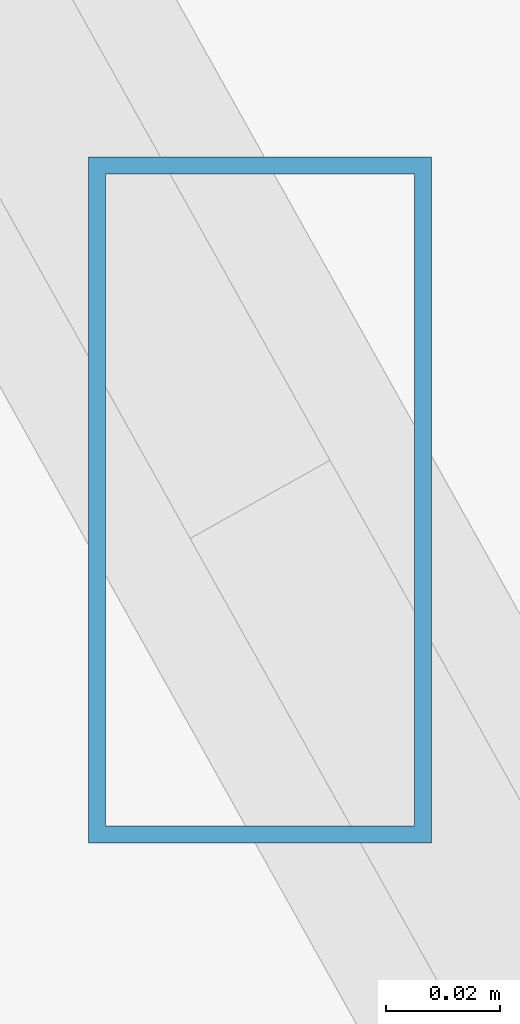
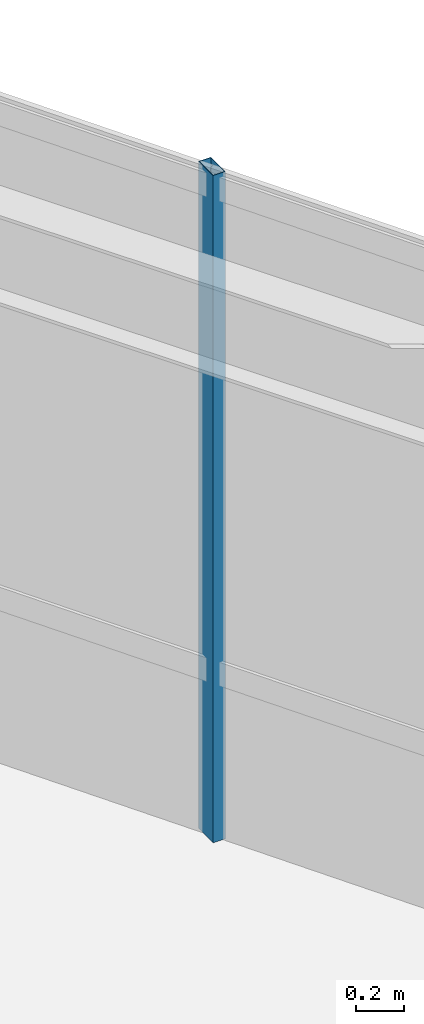
# One storey, part 25 of 46: 1 member, 1 element without a shape of its own.
"""IFC4 building model written with IfcOpenShell, lengths in metres."""

import ifcopenshell
import ifcopenshell.guid

model = None  # the IFC model being written
_history = None  # IfcOwnerHistory: only IFC2X3 demands one
_inside = {}  # id of a spatial element -> (the spatial element, [elements in it])
_under = {}  # id of a project, library or spatial element -> (it, [spatial elements below it])
_declared = {}  # id of a project -> (the project, [libraries it declares])
_typed = {}  # id of a type object -> (the type object, [elements of that type])
_made_of = {}  # id of a material, layer set ... -> (it, [elements and type objects made of it])


def new_model(schema):
    """Start an empty IFC model of exactly this schema.

    Asked for "IFC4X3", IfcOpenShell would pick the latest addendum, in which some entities
    have other attributes; the version numbers below select the first issue.
    IFC2X3 requires an IfcOwnerHistory on every rooted entity: one is made here for all.
    """
    global model, _history
    if schema == "IFC4X3":
        model = ifcopenshell.file(schema_version=(4, 3, 0, 0))
    else:
        model = ifcopenshell.file(schema=schema)
    _inside.clear()
    _under.clear()
    _declared.clear()
    _typed.clear()
    _made_of.clear()
    _history = None
    if model.schema == "IFC2X3":
        org = make("IfcOrganization", Name="unknown")
        user = make(
            "IfcPersonAndOrganization",
            ThePerson=make("IfcPerson", FamilyName="unknown"),
            TheOrganization=org,
        )
        app = make(
            "IfcApplication",
            ApplicationDeveloper=org,
            Version="unknown",
            ApplicationFullName="unknown",
            ApplicationIdentifier="unknown",
        )
        _history = make(
            "IfcOwnerHistory",
            OwningUser=user,
            OwningApplication=app,
            ChangeAction="ADDED",
            CreationDate=0,
        )
    return model


def make(cls, **values):
    """One entity of the class cls with the attributes given. An attribute that is None is left unset."""
    return model.create_entity(
        cls, **{name: value for name, value in values.items() if value is not None}
    )


def rooted(cls, **values):
    """An entity with a GlobalId (a new one), such as an element, a storey or a relation."""
    return make(cls, GlobalId=ifcopenshell.guid.new(), OwnerHistory=_history, **values)


def si_unit(unit_type, name, prefix=None):
    """IfcSIUnit, for example si_unit("LENGTHUNIT", "METRE", prefix="MILLI")."""
    return make("IfcSIUnit", UnitType=unit_type, Prefix=prefix, Name=name)


def assignment(units):
    """IfcUnitAssignment: the units of a project."""
    return None if units is None else make("IfcUnitAssignment", Units=units)


def point(xyz):
    """IfcCartesianPoint."""
    return None if xyz is None else make("IfcCartesianPoint", Coordinates=xyz)


def direction(xyz):
    """IfcDirection."""
    return None if xyz is None else make("IfcDirection", DirectionRatios=xyz)


def frame(location, z_axis=None, x_axis=None):
    """IfcAxis2Placement3D, a coordinate frame: its origin and axes. An axis left out is left unset."""
    return make(
        "IfcAxis2Placement3D",
        Location=point(location),
        Axis=direction(z_axis),
        RefDirection=direction(x_axis),
    )


def frame_2d(location, x_axis=None):
    """IfcAxis2Placement2D, a coordinate frame in the plane: its origin and x axis."""
    return make(
        "IfcAxis2Placement2D", Location=point(location), RefDirection=direction(x_axis)
    )


def origin():
    """The frame at (0, 0, 0) with its axes left unset."""
    return frame((0.0, 0.0, 0.0))


def origin_2d():
    """The frame at (0, 0) in the plane with its x axis left unset."""
    return frame_2d((0.0, 0.0))


def place(relative_to, where):
    """IfcLocalPlacement: puts the frame where relative to a parent placement (None: the world)."""
    return make(
        "IfcLocalPlacement", PlacementRelTo=relative_to, RelativePlacement=where
    )


def context(
    kind, dimensions, precision=None, world=None, true_north=None, identifier=None
):
    """IfcGeometricRepresentationContext, for example the 3D "Model" context."""
    return make(
        "IfcGeometricRepresentationContext",
        ContextIdentifier=identifier,
        ContextType=kind,
        CoordinateSpaceDimension=dimensions,
        Precision=precision,
        WorldCoordinateSystem=world,
        TrueNorth=true_north,
    )


def subcontext(parent, identifier, kind, view, scale=None):
    """IfcGeometricRepresentationSubContext, for example "Body" below "Model"."""
    return make(
        "IfcGeometricRepresentationSubContext",
        ContextIdentifier=identifier,
        ContextType=kind,
        ParentContext=parent,
        TargetScale=scale,
        TargetView=view,
    )


def project(units=None, contexts=None):
    """IfcProject with its units and contexts."""
    return rooted(
        "IfcProject",
        Name="project",
        RepresentationContexts=contexts,
        UnitsInContext=assignment(units),
    )


def spatial(cls, under=None, at=None, **own):
    """A site, building, storey or space (cls), placed at a placement, below another one or the project."""
    s = rooted(cls, ObjectPlacement=at, **own)
    if under is not None:
        _under.setdefault(under.id(), (under, []))[1].append(s)
    return s


def profile(cls, at=None, kind="AREA", **sizes):
    """A parametric profile (cls). Its sizes go by their IFC names, for example OverallWidth=200.0."""
    return make(cls, ProfileType=kind, Position=at, **sizes)


def hollow_rectangle(**sizes):
    """IfcRectangleHollowProfileDef."""
    return profile("IfcRectangleHollowProfileDef", **sizes)


def extrude(swept, where, along, depth):
    """IfcExtrudedAreaSolid: the profile swept, set in the frame where, extruded along a direction by depth."""
    return make(
        "IfcExtrudedAreaSolid",
        SweptArea=swept,
        Position=where,
        ExtrudedDirection=direction(along),
        Depth=depth,
    )


def shape(context_of_items, identifier, shape_type, items):
    """IfcShapeRepresentation: the items that make up one representation, for example the "Body"."""
    return make(
        "IfcShapeRepresentation",
        ContextOfItems=context_of_items,
        RepresentationIdentifier=identifier,
        RepresentationType=shape_type,
        Items=items,
    )


def source(mapping_origin, context_of_items, identifier, shape_type, items):
    """IfcRepresentationMap: a shape defined once, which mapped items show again and again."""
    return make(
        "IfcRepresentationMap",
        MappingOrigin=mapping_origin,
        MappedRepresentation=shape(context_of_items, identifier, shape_type, items),
    )


def transform(
    local_origin,
    x_axis=None,
    y_axis=None,
    z_axis=None,
    scale=None,
    scale2=None,
    scale3=None,
    uniform=True,
):
    """IfcCartesianTransformationOperator3D, or its non-uniform kind. x_axis, y_axis, z_axis: its Axis1, 2, 3."""
    if uniform:
        return make(
            "IfcCartesianTransformationOperator3D",
            Axis1=direction(x_axis),
            Axis2=direction(y_axis),
            LocalOrigin=point(local_origin),
            Scale=scale,
            Axis3=direction(z_axis),
        )
    return make(
        "IfcCartesianTransformationOperator3DnonUniform",
        Axis1=direction(x_axis),
        Axis2=direction(y_axis),
        LocalOrigin=point(local_origin),
        Scale=scale,
        Axis3=direction(z_axis),
        Scale2=scale2,
        Scale3=scale3,
    )


def mapped(mapping_source, mapping_target):
    """IfcMappedItem: shows the shape of a source again, moved by a transform."""
    return make(
        "IfcMappedItem", MappingSource=mapping_source, MappingTarget=mapping_target
    )


def material(Name=None, Category=None):
    """IfcMaterial."""
    return make("IfcMaterial", Name=Name, Category=Category)


def material_profile(
    of_material, cross_section, Name=None, Category=None, Priority=None
):
    """IfcMaterialProfile: a cross section and its material."""
    return make(
        "IfcMaterialProfile",
        Name=Name,
        Material=of_material,
        Profile=cross_section,
        Priority=Priority,
        Category=Category,
    )


def profile_set(profiles, Name=None, composite=None):
    """IfcMaterialProfileSet."""
    return make(
        "IfcMaterialProfileSet",
        Name=Name,
        MaterialProfiles=profiles,
        CompositeProfile=composite,
    )


def made_of(thing, what):
    """Note that an element or type object is made of a material, layer set ...; save() writes the relation."""
    if what is not None:
        _made_of.setdefault(what.id(), (what, []))[1].append(thing)
    return thing


def type_object(cls, material=None, **own):
    """A type object (cls), such as IfcWallType, which elements share."""
    return made_of(rooted(cls, **own), material)


def type_shapes(of_type, sources):
    """Give a type object the sources (RepresentationMaps) that its elements show as mapped items."""
    of_type.RepresentationMaps = sources


def element(
    cls,
    number,
    at=None,
    inside=None,
    cuts=None,
    type_object=None,
    material=None,
    context=None,
    identifier="Body",
    shape_type=None,
    held_by="IfcProductDefinitionShape",
    body=None,
    shapes=None,
    **own,
):
    """One element of the class cls, such as IfcWall. Its Tag is "e" and its number.

    at: its placement. inside: the storey or other place that contains it. cuts: it is an
    opening in that element (IfcRelVoidsElement). A single representation is given by context,
    identifier, shape_type and body (its items); several are given by shapes. held_by: the class
    of the entity that holds the representations. save() writes the other relations.
    """
    e = rooted(cls, Tag="e%d" % number, ObjectPlacement=at, **own)
    if body is not None:
        shapes = [shape(context, identifier, shape_type, body)]
    if shapes is not None:
        e.Representation = make(held_by, Representations=shapes)
    if inside is not None:
        _inside.setdefault(inside.id(), (inside, []))[1].append(e)
    if cuts is not None:
        rooted(
            "IfcRelVoidsElement", RelatingBuildingElement=cuts, RelatedOpeningElement=e
        )
    if type_object is not None:
        _typed.setdefault(type_object.id(), (type_object, []))[1].append(e)
    return made_of(e, material)


def aggregate(whole, parts):
    """IfcRelAggregates: a whole, such as a stair, and the parts it consists of."""
    return rooted("IfcRelAggregates", RelatingObject=whole, RelatedObjects=parts)


def save(model, path):
    """Write the relations noted so far, then the file.

    IfcRelAggregates (storeys below a building ...), IfcRelContainedInSpatialStructure (elements
    in a storey), IfcRelDefinesByType, IfcRelAssociatesMaterial and IfcRelDeclares: one each for
    every whole, place, type object, material and project.
    """
    for whole, parts in _under.values():
        aggregate(whole, parts)
    for where, things in _inside.values():
        rooted(
            "IfcRelContainedInSpatialStructure",
            RelatedElements=things,
            RelatingStructure=where,
        )
    for kind, things in _typed.values():
        rooted("IfcRelDefinesByType", RelatedObjects=things, RelatingType=kind)
    for what, things in _made_of.values():
        rooted("IfcRelAssociatesMaterial", RelatedObjects=things, RelatingMaterial=what)
    for by, libraries in _declared.values():
        rooted("IfcRelDeclares", RelatingContext=by, RelatedDefinitions=libraries)
    model.write(path)


model = new_model("IFC4")

# Units and contexts
model_context = context("Model", 3, precision=1e-05, world=origin(), true_north=direction((0.0, 1.0)))
body_context = subcontext(model_context, "Body", "Model", "MODEL_VIEW")
ifc_project = project(units=[si_unit("LENGTHUNIT", "METRE"), si_unit("AREAUNIT", "SQUARE_METRE"), si_unit("VOLUMEUNIT", "CUBIC_METRE"), si_unit("PLANEANGLEUNIT", "RADIAN"), si_unit("MASSUNIT", "GRAM", prefix="KILO")], contexts=[model_context])

# Site, building, storey
site_placement = place(None, origin())
site = spatial("IfcSite", under=ifc_project, at=site_placement, CompositionType="ELEMENT")
building_placement = place(site_placement, origin())
building = spatial("IfcBuilding", under=site, at=building_placement, Name="Caelisora Broadcast Tower", CompositionType="ELEMENT")
storey_placement = place(building_placement, frame((0.0, 0.0, 251.75)))
storey = spatial("IfcBuildingStorey", under=building, at=storey_placement, Name="L66", CompositionType="ELEMENT", Elevation=251.75)

# Curtain wall, member
ifc_material_1 = material(Name="Unitised Aluminium and Low-E Glass Curtain Wall", Category="glass")
curtain_wall_type = type_object("IfcCurtainWallType", Name="CW-Z5", PredefinedType="NOTDEFINED", material=ifc_material_1)
curtain_wall_placement = place(storey_placement, origin())
curtain_wall = element("IfcCurtainWall", 1, at=curtain_wall_placement, inside=storey, type_object=curtain_wall_type, Name="L66 curtain wall CW-Z5", PredefinedType="NOTDEFINED")
ifc_material_2 = material(Name="Aluminium 6063-T6 Anodised Terracotta Bronze", Category="aluminium")
ifc_material_profile = material_profile(ifc_material_2, hollow_rectangle(XDim=0.06005859375, YDim=0.1201171875, WallThickness=0.0029296875, at=origin_2d()), Name="Aluminium 6063-T6 Anodised Terracotta Bronze")
ifc_profile_set = profile_set([ifc_material_profile], Name="Aluminium 6063-T6 Anodised Terracotta Bronze")
member_type = type_object("IfcMemberType", Name="CWM-04", PredefinedType="MULLION", material=ifc_profile_set)
shared_shape = source(origin(), body_context, "Body", "SweptSolid", [
    extrude(hollow_rectangle(XDim=0.06005859375, YDim=0.1201171875, WallThickness=0.0029296875, at=origin_2d()), origin(), (0.0, 0.0, 1.0), 3.39990234375),
])
type_shapes(member_type, [shared_shape])
member_placement = place(storey_placement, frame((57.29345703125, 21.27392578125, 0.0), z_axis=(0.0, 0.0, 1.0), x_axis=(1.0, 0.0, 0.0)))
member = element("IfcMember", 2, at=member_placement, type_object=member_type, Name="L66-CW-B03 mullion #1", PredefinedType="MULLION", context=body_context, shape_type="MappedRepresentation", body=[
    mapped(shared_shape, transform((0.0, 0.0, 0.0), scale=1.0)),
])
aggregate(curtain_wall, [member])

save(model, "model.ifc")
